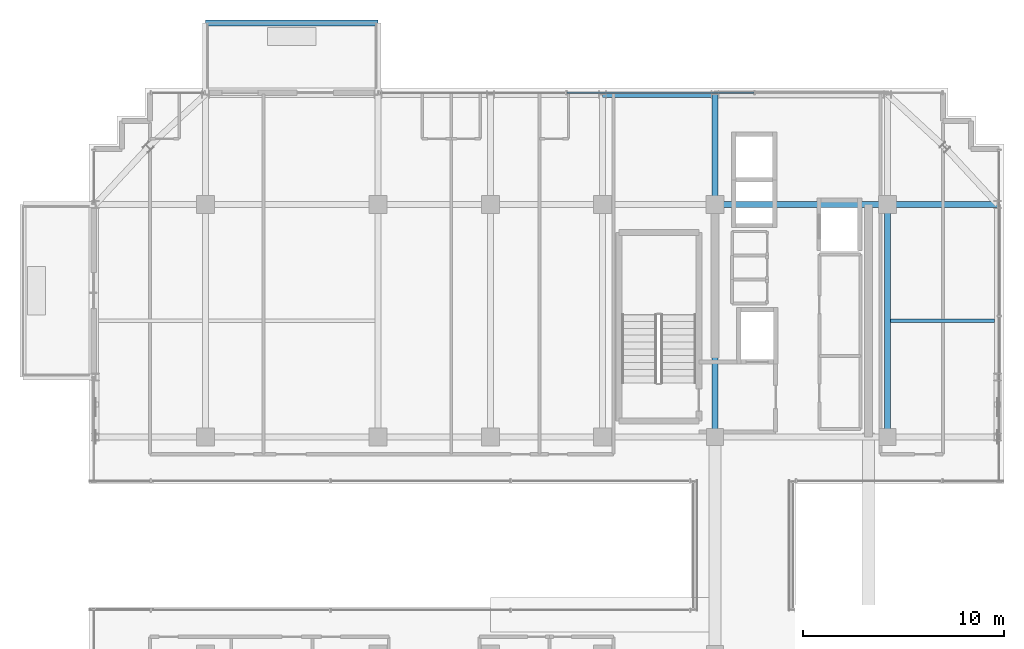
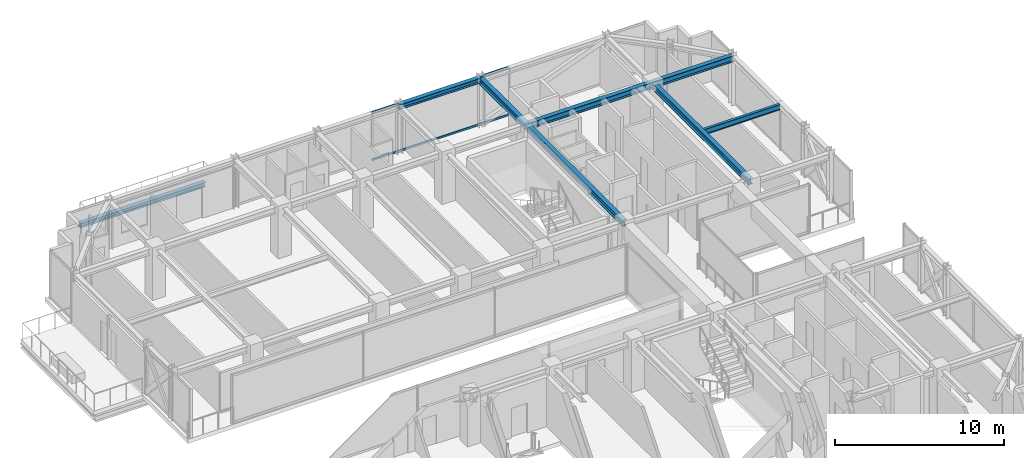
# One storey, part 29 of 41: 8 beams, 2 members, 1 element without a shape of its own.
"""IFC4 building model written with IfcOpenShell, lengths in metres."""

from ifc_helpers import new_model, si_unit, direction, frame, origin, origin_2d, place, context, subcontext, project, spatial, hollow_rectangle, i_section, extrude, source, transform, mapped, material, material_profile, profile_set, type_object, element, aggregate, save


model = new_model("IFC4")

# Units and contexts
model_context = context("Model", 3, precision=1e-05, world=origin(), true_north=direction((0.0, 1.0)))
body_context = subcontext(model_context, "Body", "Model", "MODEL_VIEW")
ifc_project = project(units=[si_unit("LENGTHUNIT", "METRE"), si_unit("AREAUNIT", "SQUARE_METRE"), si_unit("VOLUMEUNIT", "CUBIC_METRE"), si_unit("PLANEANGLEUNIT", "RADIAN"), si_unit("MASSUNIT", "GRAM", prefix="KILO")], contexts=[model_context])

# Site, building, storey
site_placement = place(None, origin())
site = spatial("IfcSite", under=ifc_project, at=site_placement, CompositionType="ELEMENT")
building_placement = place(site_placement, origin())
building = spatial("IfcBuilding", under=site, at=building_placement, Name="Nahalor Promenade Grand Hotel", CompositionType="ELEMENT")
storey_placement = place(building_placement, frame((0.0, 0.0, 304.199951171875)))
storey = spatial("IfcBuildingStorey", under=building, at=storey_placement, Name="L78", CompositionType="ELEMENT", Elevation=304.199951171875)

# Beams
ifc_material_1 = material(Name="Steel S355JR", Category="steel")
ifc_material_profile_1 = material_profile(ifc_material_1, i_section(OverallWidth=0.3, OverallDepth=0.32, WebThickness=0.0115, FlangeThickness=0.0205, at=origin_2d()), Name="HEB 320")
ifc_profile_set_1 = profile_set([ifc_material_profile_1], Name="Steel S355JR")
beam_type_1 = type_object("IfcBeamType", Name="Beam-BalcEdge-HEB320", PredefinedType="SPANDREL", material=ifc_profile_set_1)
shared_shape_1 = source(origin(), body_context, "Body", "SweptSolid", [
    extrude(i_section(OverallWidth=0.3, OverallDepth=0.32, WebThickness=0.0115, FlangeThickness=0.0205, at=origin_2d()), origin(), (0.0, 0.0, 1.0), 8.60009765625),
])
beam_1_placement = place(storey_placement, frame((-17.0, 26.0400390625, -0.43994140625), z_axis=(1.0, 0.0, 0.0), x_axis=(0.0, 1.0, 0.0)))
element("IfcBeam", 1, at=beam_1_placement, inside=storey, type_object=beam_type_1, Name="BM-L78-BC-01-F", PredefinedType="SPANDREL", context=body_context, shape_type="MappedRepresentation", body=[
    mapped(shared_shape_1, transform((0.0, 0.0, 0.0), scale=1.0)),
])
ifc_material_profile_2 = material_profile(ifc_material_1, i_section(OverallWidth=0.3, OverallDepth=0.45, WebThickness=0.014, FlangeThickness=0.026, at=origin_2d()), Name="HEB 450")
ifc_profile_set_2 = profile_set([ifc_material_profile_2], Name="Steel S355JR")
beam_type_2 = type_object("IfcBeamType", Name="Beam-Girder-HEB450", PredefinedType="BEAM", material=ifc_profile_set_2)
shared_shape_2 = source(origin(), body_context, "Body", "SweptSolid", [
    extrude(i_section(OverallWidth=0.3, OverallDepth=0.45, WebThickness=0.014, FlangeThickness=0.026, at=origin_2d()), origin(), (0.0, 0.0, 1.0), 8.60009765625),
])
beam_2_placement = place(storey_placement, frame((8.39990234375, 17.0, 3.324951171875), z_axis=(1.0, 0.0, 0.0), x_axis=(0.0, 1.0, 0.0)))
element("IfcBeam", 2, at=beam_2_placement, inside=storey, type_object=beam_type_2, Name="BM-L78-GX-3-5", PredefinedType="BEAM", context=body_context, shape_type="MappedRepresentation", body=[
    mapped(shared_shape_2, transform((0.0, 0.0, 0.0), scale=1.0)),
])
shared_shape_3 = source(origin(), body_context, "Body", "SweptSolid", [
    extrude(i_section(OverallWidth=0.3, OverallDepth=0.45, WebThickness=0.014, FlangeThickness=0.026, at=origin_2d()), origin(), (0.0, 0.0, 1.0), 11.60009765625),
])
for number, where, z_axis, x_axis, name in (
    (3, (8.39990234375, 5.39990234375, 3.324951171875), (0.0, 1.0, 0.0), (-1.0, 0.0, 0.0), "BM-L78-GY-4-3"),
    (4, (17.0, 5.39990234375, 3.324951171875), (0.0, 1.0, 0.0), (-1.0, 0.0, 0.0), "BM-L78-GY-5-3"),
):
    element("IfcBeam", number, at=place(storey_placement, frame(where, z_axis=z_axis, x_axis=x_axis)), inside=storey, type_object=beam_type_2, Name=name, PredefinedType="BEAM", context=body_context, shape_type="MappedRepresentation", body=[
        mapped(shared_shape_3, transform((0.0, 0.0, 0.0), scale=1.0)),
    ])
shared_shape_4 = source(origin(), body_context, "Body", "SweptSolid", [
    extrude(i_section(OverallWidth=0.3, OverallDepth=0.45, WebThickness=0.014, FlangeThickness=0.026, at=origin_2d()), origin(), (0.0, 0.0, 1.0), 5.47998046875),
])
for number, where, z_axis, x_axis, name in (
    (5, (17.0, 17.0, 3.324951171875), (1.0, 0.0, 0.0), (0.0, 1.0, 0.0), "BM-L78-GX-3-6"),
    (6, (8.39990234375, 17.0, 3.324951171875), (0.0, 1.0, 0.0), (-1.0, 0.0, 0.0), "BM-L78-GY-4-4"),
):
    element("IfcBeam", number, at=place(storey_placement, frame(where, z_axis=z_axis, x_axis=x_axis)), inside=storey, type_object=beam_type_2, Name=name, PredefinedType="BEAM", context=body_context, shape_type="MappedRepresentation", body=[
        mapped(shared_shape_4, transform((0.0, 0.0, 0.0), scale=1.0)),
    ])
ifc_material_profile_3 = material_profile(ifc_material_1, i_section(OverallWidth=0.18, OverallDepth=0.4, WebThickness=0.0086, FlangeThickness=0.0135, at=origin_2d()), Name="IPE 400")
ifc_profile_set_3 = profile_set([ifc_material_profile_3], Name="Steel S355JR")
beam_type_3 = type_object("IfcBeamType", Name="Beam-Joist-IPE400", PredefinedType="JOIST", material=ifc_profile_set_3)
shared_shape_5 = source(origin(), body_context, "Body", "SweptSolid", [
    extrude(i_section(OverallWidth=0.18, OverallDepth=0.4, WebThickness=0.0086, FlangeThickness=0.0135, at=origin_2d()), origin(), (0.0, 0.0, 1.0), 5.18017578125),
])
beam_3_placement = place(storey_placement, frame((17.14990234375, 11.199951171875, 3.35009765625), z_axis=(1.0, 0.0, 0.0), x_axis=(0.0, 1.0, 0.0)))
element("IfcBeam", 7, at=beam_3_placement, inside=storey, type_object=beam_type_3, Name="BM-L78-JSE-1-2", PredefinedType="JOIST", context=body_context, shape_type="MappedRepresentation", body=[
    mapped(shared_shape_5, transform((0.0, 0.0, 0.0), scale=1.0)),
])
ifc_material_profile_4 = material_profile(ifc_material_1, i_section(OverallWidth=0.3, OverallDepth=0.36, WebThickness=0.0125, FlangeThickness=0.0225, at=origin_2d()), Name="HEB 360")
ifc_profile_set_4 = profile_set([ifc_material_profile_4], Name="Steel S355JR")
beam_type_4 = type_object("IfcBeamType", Name="Beam-Spandrel-HEB360", PredefinedType="SPANDREL", material=ifc_profile_set_4)
shared_shape_6 = source(origin(), body_context, "Body", "SweptSolid", [
    extrude(i_section(OverallWidth=0.3, OverallDepth=0.36, WebThickness=0.0125, FlangeThickness=0.0225, at=origin_2d()), origin(), (0.0, 0.0, 1.0), 5.599853515625),
])
beam_4_placement = place(storey_placement, frame((2.800048828125, 22.47998046875, 3.3701171875), z_axis=(1.0, 0.0, 0.0), x_axis=(0.0, 1.0, 0.0)))
element("IfcBeam", 8, at=beam_4_placement, inside=storey, type_object=beam_type_4, Name="BM-L78-SP-N-3", PredefinedType="SPANDREL", context=body_context, shape_type="MappedRepresentation", body=[
    mapped(shared_shape_6, transform((0.0, 0.0, 0.0), scale=1.0)),
])

# Curtain wall, members
ifc_material_2 = material(Name="Anodised Bronze Aluminium EN AW-6063 T6", Category="aluminium")
curtain_wall_type = type_object("IfcCurtainWallType", Name="CW3 Elliptical-Void Collar Unitised Curtain Wall", PredefinedType="USERDEFINED", material=ifc_material_2)
curtain_wall_placement = place(storey_placement, origin())
curtain_wall = element("IfcCurtainWall", 9, at=curtain_wall_placement, inside=storey, type_object=curtain_wall_type, Name="L78 Curtain Wall CW-L78-N-3", ObjectType="UNITISED_CURTAIN_WALL", PredefinedType="USERDEFINED")
ifc_material_profile_5 = material_profile(ifc_material_2, hollow_rectangle(XDim=0.07, YDim=0.14, WallThickness=0.004, at=origin_2d()), Name="CWT 70x140x4")
ifc_profile_set_5 = profile_set([ifc_material_profile_5], Name="Anodised Bronze Aluminium EN AW-6063 T6")
member_type = type_object("IfcMemberType", Name="CWT3 Void Collar Transom 70x140", PredefinedType="USERDEFINED", material=ifc_profile_set_5)
shared_shape_7 = source(origin(), body_context, "Body", "SweptSolid", [
    extrude(hollow_rectangle(XDim=0.07, YDim=0.14, WallThickness=0.004, at=origin_2d()), origin(), (0.0, 0.0, 1.0), 9.316650390625),
])
member_1_placement = place(storey_placement, frame((1.021728515625, 22.56005859375, 0.070068359375), z_axis=(1.0, 0.0, 0.0), x_axis=(0.0, 1.0, 0.0)))
member_1 = element("IfcMember", 10, at=member_1_placement, type_object=member_type, Name="CW-L78-N-3 Transom 1-0", ObjectType="TRANSOM", PredefinedType="USERDEFINED", context=body_context, shape_type="MappedRepresentation", body=[
    mapped(shared_shape_7, transform((0.0, 0.0, 0.0), scale=1.0)),
])
member_2_placement = place(storey_placement, frame((1.021728515625, 22.56005859375, 3.47998046875), z_axis=(1.0, 0.0, 0.0), x_axis=(0.0, 1.0, 0.0)))
member_2 = element("IfcMember", 11, at=member_2_placement, type_object=member_type, Name="CW-L78-N-3 Transom 1-1", ObjectType="TRANSOM", PredefinedType="USERDEFINED", context=body_context, shape_type="MappedRepresentation", body=[
    mapped(shared_shape_7, transform((0.0, 0.0, 0.0), scale=1.0)),
])
aggregate(curtain_wall, [member_1, member_2])

save(model, "model.ifc")
